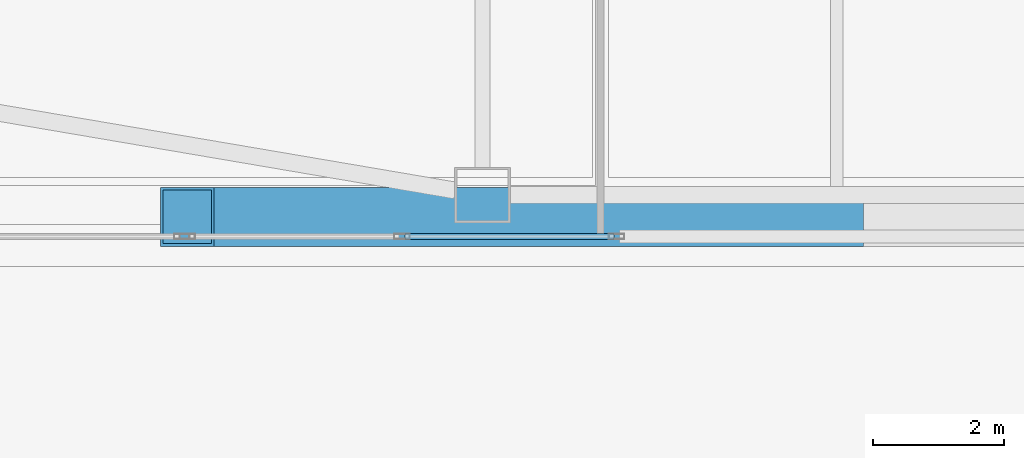
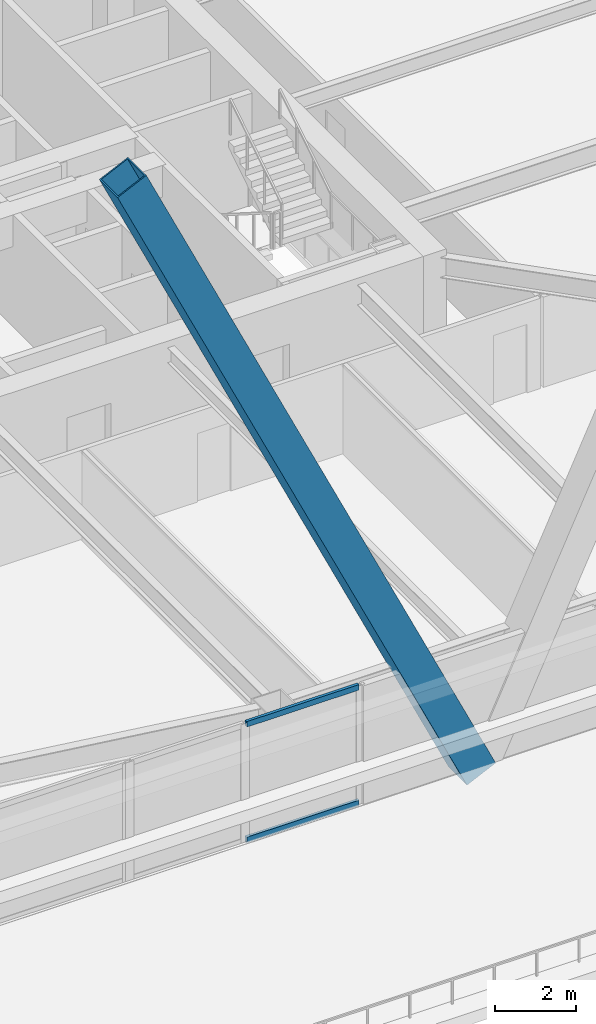
# One storey, part 10 of 83: 3 members, 1 element without a shape of its own.
"""IFC4 building model written with IfcOpenShell, lengths in metres."""

from ifc_helpers import new_model, si_unit, direction, frame, origin, origin_2d, place, context, subcontext, project, spatial, hollow_rectangle, extrude, material, material_profile, profile_set, type_object, element, aggregate, save


model = new_model("IFC4")

# Units and contexts
model_context = context("Model", 3, precision=1e-05, world=origin(), true_north=direction((0.0, 1.0)))
body_context = subcontext(model_context, "Body", "Model", "MODEL_VIEW")
ifc_project = project(units=[si_unit("LENGTHUNIT", "METRE"), si_unit("AREAUNIT", "SQUARE_METRE"), si_unit("VOLUMEUNIT", "CUBIC_METRE"), si_unit("PLANEANGLEUNIT", "RADIAN"), si_unit("MASSUNIT", "GRAM", prefix="KILO")], contexts=[model_context])

# Site, building, storey
site_placement = place(None, origin())
site = spatial("IfcSite", under=ifc_project, at=site_placement, CompositionType="ELEMENT")
building_placement = place(site_placement, origin())
building = spatial("IfcBuilding", under=site, at=building_placement, Name="Tashvorn Skyway Center", CompositionType="ELEMENT")
storey_placement = place(building_placement, frame((0.0, 0.0, 24.60009765625)))
storey = spatial("IfcBuildingStorey", under=building, at=storey_placement, Name="L05", CompositionType="ELEMENT", Elevation=24.60009765625)

# Curtain wall, members
ifc_material_1 = material(Name="Thermally broken bronze-anodized aluminium 6063-T6", Category="aluminium")
curtain_wall_type = type_object("IfcCurtainWallType", Name="CW-CW-Z1", PredefinedType="NOTDEFINED", material=ifc_material_1)
curtain_wall_placement = place(storey_placement, origin())
curtain_wall = element("IfcCurtainWall", 1, at=curtain_wall_placement, inside=storey, type_object=curtain_wall_type, Name="Tower 1 L05 South Unitised Curtain Wall Glazing Group 3", PredefinedType="NOTDEFINED")
ifc_material_profile_1 = material_profile(ifc_material_1, hollow_rectangle(XDim=0.0849609375, YDim=0.1650390625, WallThickness=0.0048828125, at=origin_2d()), Name="ALU-TRAN-85x165")
ifc_profile_set_1 = profile_set([ifc_material_profile_1], Name="Thermally broken bronze-anodized aluminium 6063-T6")
member_type_1 = type_object("IfcMemberType", Name="CWT-CW-Z1", PredefinedType="USERDEFINED", material=ifc_profile_set_1)
member_1_placement = place(storey_placement, frame((38.601806640625, 9.1201171875, 0.04248046875), z_axis=(-1.0, 0.0, 0.0), x_axis=(0.0, -1.0, 0.0)))
member_1 = element("IfcMember", 2, at=member_1_placement, type_object=member_type_1, Name="CW-Z1 transom 1.1", ObjectType="TRANSOM", PredefinedType="USERDEFINED", context=body_context, shape_type="SweptSolid", body=[
    extrude(hollow_rectangle(XDim=0.0849609375, YDim=0.1650390625, WallThickness=0.0048828125, at=origin_2d()), origin(), (0.0, 0.0, 1.0), 3.18603515625),
])
member_2_placement = place(storey_placement, frame((38.601806640625, 9.1201171875, 3.50732421875), z_axis=(-1.0, 0.0, 0.0), x_axis=(0.0, -1.0, 0.0)))
member_2 = element("IfcMember", 3, at=member_2_placement, type_object=member_type_1, Name="CW-Z1 transom 1.2", ObjectType="TRANSOM", PredefinedType="USERDEFINED", context=body_context, shape_type="SweptSolid", body=[
    extrude(hollow_rectangle(XDim=0.0849609375, YDim=0.1650390625, WallThickness=0.0048828125, at=origin_2d()), origin(), (0.0, 0.0, 1.0), 3.18603515625),
])
aggregate(curtain_wall, [member_1, member_2])

# Member
ifc_material_2 = material(Name="Steel ASTM A572 Grade 50", Category="steel")
ifc_material_profile_2 = material_profile(ifc_material_2, hollow_rectangle(XDim=0.89990234375, YDim=0.89990234375, WallThickness=0.0400390625, at=origin_2d()), Name="BOX900x900x40")
ifc_profile_set_2 = profile_set([ifc_material_profile_2], Name="Steel ASTM A572 Grade 50")
member_type_2 = type_object("IfcMemberType", Name="MEM-MB-900", PredefinedType="BRACE", material=ifc_profile_set_2)
member_3_placement = place(storey_placement, frame((42.0, 9.419921875, -0.22021484375), z_axis=(-0.425254538693, 0.0, 0.905073796616), x_axis=(0.0, -1.0, 0.0)))
element("IfcMember", 4, at=member_3_placement, inside=storey, type_object=member_type_2, Name="Tower 1 Zone 1 S Chevron Mega-Brace L1", PredefinedType="BRACE", context=body_context, shape_type="SweptSolid", body=[
    extrude(hollow_rectangle(XDim=0.89990234375, YDim=0.89990234375, WallThickness=0.0400390625, at=origin_2d()), origin(), (0.0, 0.0, 1.0), 23.280029296875),
])

save(model, "model.ifc")
